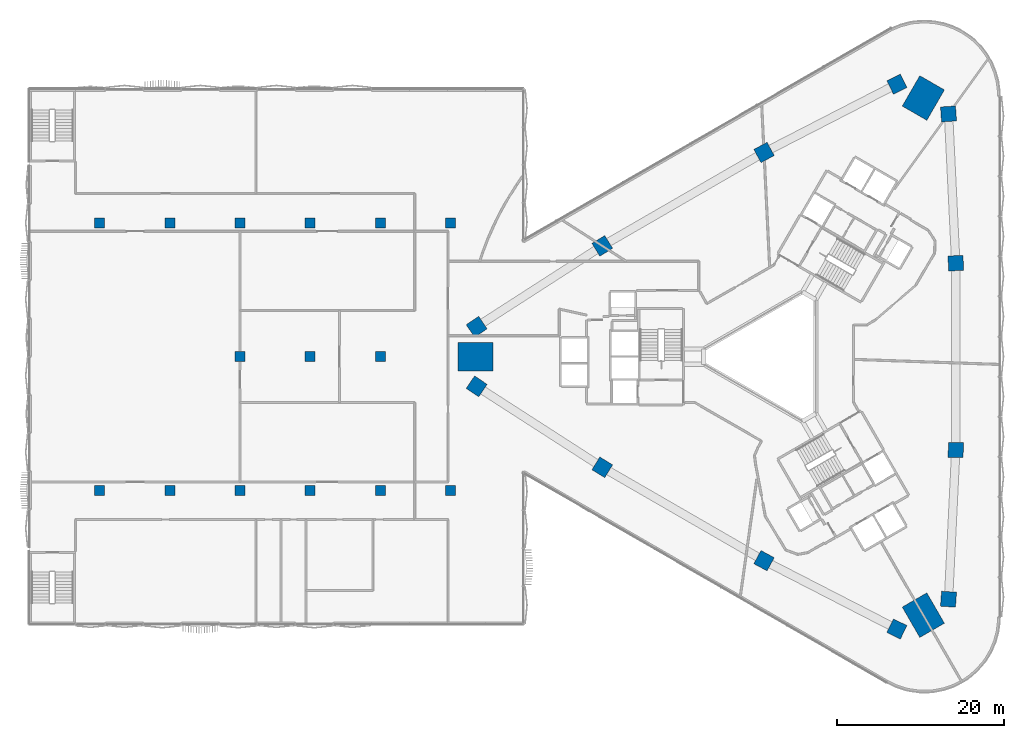
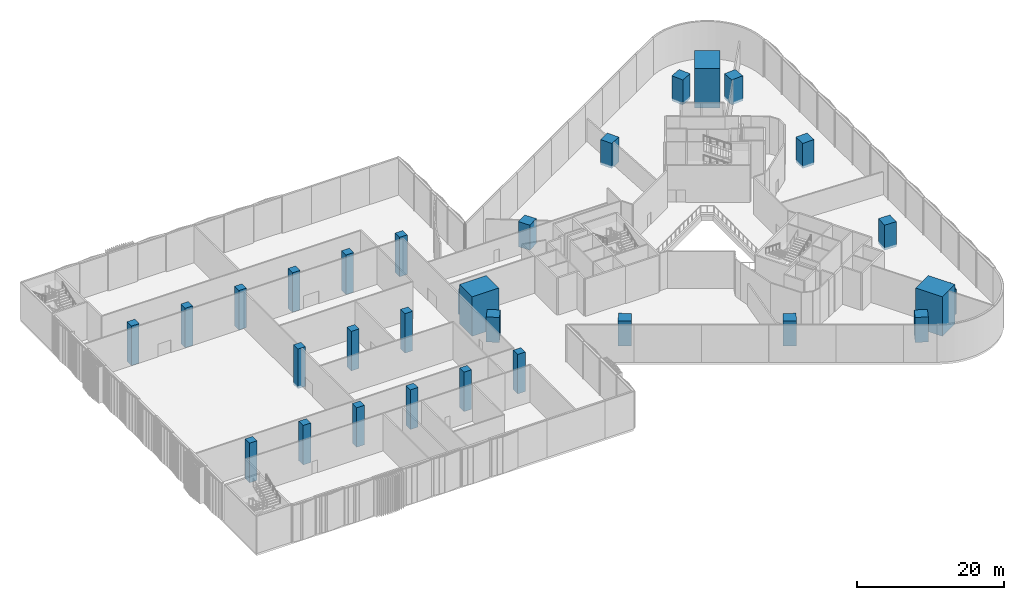
# One storey, part 1 of 32: 30 columns.
"""IFC4 building model written with IfcOpenShell, lengths in metres."""

from ifc_helpers import new_model, si_unit, direction, frame, origin, origin_2d, place, context, subcontext, project, spatial, rectangle, extrude, material, material_profile, profile_set, type_object, element, save


model = new_model("IFC4")

# Units and contexts
model_context = context("Model", 3, precision=1e-05, world=origin(), true_north=direction((0.0, 1.0)))
body_context = subcontext(model_context, "Body", "Model", "MODEL_VIEW")
ifc_project = project(units=[si_unit("LENGTHUNIT", "METRE"), si_unit("AREAUNIT", "SQUARE_METRE"), si_unit("VOLUMEUNIT", "CUBIC_METRE"), si_unit("PLANEANGLEUNIT", "RADIAN"), si_unit("MASSUNIT", "GRAM", prefix="KILO")], contexts=[model_context])

# Site, building, storey
site_placement = place(None, origin())
site = spatial("IfcSite", under=ifc_project, at=site_placement, CompositionType="ELEMENT")
building_placement = place(site_placement, origin())
building = spatial("IfcBuilding", under=site, at=building_placement, Name="Tamra Quay Hotel Tower", CompositionType="ELEMENT")
storey_placement = place(building_placement, frame((0.0, 0.0, 7.5)))
storey = spatial("IfcBuildingStorey", under=building, at=storey_placement, Name="L01", CompositionType="ELEMENT", Elevation=7.5)

# Columns
ifc_material = material(Name="Concrete M70", Category="concrete")
ifc_material_profile_1 = material_profile(ifc_material, rectangle(XDim=1.199951171875, YDim=1.199951171875, at=origin_2d()), Name="LATTICE COLUMN RC 1200x1200")
ifc_profile_set_1 = profile_set([ifc_material_profile_1], Name="Concrete M70")
column_type_1 = type_object("IfcColumnType", Name="LATTICE COLUMN RC 1200x1200", PredefinedType="COLUMN", material=ifc_profile_set_1)
for number, where, z_axis, x_axis, name in (
    (1, (-80.699951171875, -16.0, -0.39990234375), (0.0, 0.0, 1.0), (1.0, 0.0, 0.0), "COL-BC054-L01"),
    (2, (-80.699951171875, 16.0, -0.39990234375), (0.0, 0.0, 1.0), (1.0, 0.0, 0.0), "COL-BC056-L01"),
    (3, (-72.300048828125, -16.0, -0.39990234375), (0.0, 0.0, 1.0), (1.0, 0.0, 0.0), "COL-BC065-L01"),
    (4, (-72.300048828125, 16.0, -0.39990234375), (0.0, 0.0, 1.0), (1.0, 0.0, 0.0), "COL-BC067-L01"),
    (5, (-63.89990234375, -16.0, -0.39990234375), (0.0, 0.0, 1.0), (1.0, 0.0, 0.0), "COL-BC076-L01"),
    (6, (-63.89990234375, 0.0, -0.39990234375), (0.0, 0.0, 1.0), (1.0, 0.0, 0.0), "COL-BC077-L01"),
    (7, (-63.89990234375, 16.0, -0.39990234375), (0.0, 0.0, 1.0), (1.0, 0.0, 0.0), "COL-BC078-L01"),
    (8, (-55.5, -16.0, -0.39990234375), (0.0, 0.0, 1.0), (1.0, 0.0, 0.0), "COL-BC087-L01"),
    (9, (-55.5, 0.0, -0.39990234375), (0.0, 0.0, 1.0), (1.0, 0.0, 0.0), "COL-BC088-L01"),
    (10, (-55.5, 16.0, -0.39990234375), (0.0, 0.0, 1.0), (1.0, 0.0, 0.0), "COL-BC089-L01"),
    (11, (-47.10009765625, -16.0, -0.39990234375), (0.0, 0.0, 1.0), (1.0, 0.0, 0.0), "COL-BC098-L01"),
    (12, (-47.10009765625, 0.0, -0.39990234375), (0.0, 0.0, 1.0), (1.0, 0.0, 0.0), "COL-BC099-L01"),
    (13, (-47.10009765625, 16.0, -0.39990234375), (0.0, 0.0, 1.0), (1.0, 0.0, 0.0), "COL-BC100-L01"),
    (14, (-38.699951171875, -16.0, -0.39990234375), (0.0, 0.0, 1.0), (1.0, 0.0, 0.0), "COL-BC109-L01"),
    (15, (-38.699951171875, 16.0, -0.39990234375), (0.0, 0.0, 1.0), (1.0, 0.0, 0.0), "COL-BC110-L01"),
):
    element("IfcColumn", number, at=place(storey_placement, frame(where, z_axis=z_axis, x_axis=x_axis)), inside=storey, type_object=column_type_1, Name=name, PredefinedType="COLUMN", context=body_context, shape_type="SweptSolid", body=[
        extrude(rectangle(XDim=1.199951171875, YDim=1.199951171875, at=origin_2d()), origin(), (0.0, 0.0, 1.0), 6.5498046875),
    ])
ifc_material_profile_2 = material_profile(ifc_material, rectangle(XDim=4.199951171875, YDim=3.39990234375, at=origin_2d()), Name="MEGA COLUMN RC 3400x4200 Z1")
ifc_profile_set_2 = profile_set([ifc_material_profile_2], Name="Concrete M70")
column_type_2 = type_object("IfcColumnType", Name="MEGA COLUMN RC 3400x4200 Z1", PredefinedType="COLUMN", material=ifc_profile_set_2)
for number, where, z_axis, x_axis, name in (
    (16, (17.864501953125, 30.942138671875, -0.39990234375), (0.0, 0.0, 1.0), (0.5, 0.866025403784, 0.0), "COL-M0NE-L01"),
    (17, (-35.72900390625, 0.0, -0.39990234375), (0.0, 0.0, 1.0), (1.0, 0.0, 0.0), "COL-M0W-L01"),
    (18, (17.864501953125, -30.942138671875, -0.39990234375), (0.0, 0.0, 1.0), (-0.5, 0.866025403784, 0.0), "COL-M0SE-L01"),
):
    element("IfcColumn", number, at=place(storey_placement, frame(where, z_axis=z_axis, x_axis=x_axis)), inside=storey, type_object=column_type_2, Name=name, PredefinedType="COLUMN", context=body_context, shape_type="SweptSolid", body=[
        extrude(rectangle(XDim=4.199951171875, YDim=3.39990234375, at=origin_2d()), origin(), (0.0, 0.0, 1.0), 6.5498046875),
    ])
ifc_material_profile_3 = material_profile(ifc_material, rectangle(XDim=1.800048828125, YDim=1.800048828125, at=origin_2d()), Name="MIDFACE COLUMN RC 1800x1800")
ifc_profile_set_3 = profile_set([ifc_material_profile_3], Name="Concrete M70")
column_type_3 = type_object("IfcColumnType", Name="MIDFACE COLUMN RC 1800x1800", PredefinedType="COLUMN", material=ifc_profile_set_3)
for number, where, z_axis, x_axis, name in (
    (19, (20.87890625, -29.033935546875, -0.39990234375), (0.0, 0.0, 1.0), (-0.997561736499, 0.069789554182, 0.0), "COL-PRE1-L01"),
    (20, (21.7490234375, -11.17431640625, -0.39990234375), (0.0, 0.0, 1.0), (-0.999628128016, 0.02726913418, 0.0), "COL-PRE2-L01"),
    (21, (21.7490234375, 11.17431640625, -0.39990234375), (0.0, 0.0, 1.0), (0.999628128016, 0.02726913418, 0.0), "COL-PRE3-L01"),
    (22, (20.87890625, 29.033935546875, -0.39990234375), (0.0, 0.0, 1.0), (0.997561736499, 0.069789554182, 0.0), "COL-PRE4-L01"),
    (23, (14.70458984375, 32.5986328125, -0.39990234375), (0.0, 0.0, 1.0), (-0.438341341409, 0.898808582743, 0.0), "COL-PRNW1-L01"),
    (24, (-1.197265625, 24.422607421875, -0.39990234375), (0.0, 0.0, 1.0), (-0.476198301069, 0.879337920289, 0.0), "COL-PRNW2-L01"),
    (25, (-20.552001953125, 13.248046875, -0.39990234375), (0.0, 0.0, 1.0), (-0.523429826947, 0.85206878611, 0.0), "COL-PRNW3-L01"),
    (26, (-35.58349609375, 3.564697265625, -0.39990234375), (0.0, 0.0, 1.0), (-0.55922039509, 0.82901902856, 0.0), "COL-PRNW4-L01"),
    (27, (-35.58349609375, -3.564697265625, -0.39990234375), (0.0, 0.0, 1.0), (0.55922039509, 0.82901902856, 0.0), "COL-PRSW1-L01"),
    (28, (-20.552001953125, -13.248046875, -0.39990234375), (0.0, 0.0, 1.0), (0.523429826947, 0.85206878611, 0.0), "COL-PRSW2-L01"),
    (29, (-1.197265625, -24.422607421875, -0.39990234375), (0.0, 0.0, 1.0), (0.476198301069, 0.879337920289, 0.0), "COL-PRSW3-L01"),
    (30, (14.70458984375, -32.5986328125, -0.39990234375), (0.0, 0.0, 1.0), (0.438341341409, 0.898808582743, 0.0), "COL-PRSW4-L01"),
):
    element("IfcColumn", number, at=place(storey_placement, frame(where, z_axis=z_axis, x_axis=x_axis)), inside=storey, type_object=column_type_3, Name=name, PredefinedType="COLUMN", context=body_context, shape_type="SweptSolid", body=[
        extrude(rectangle(XDim=1.800048828125, YDim=1.800048828125, at=origin_2d()), origin(), (0.0, 0.0, 1.0), 4.14990234375),
    ])

save(model, "model.ifc")
